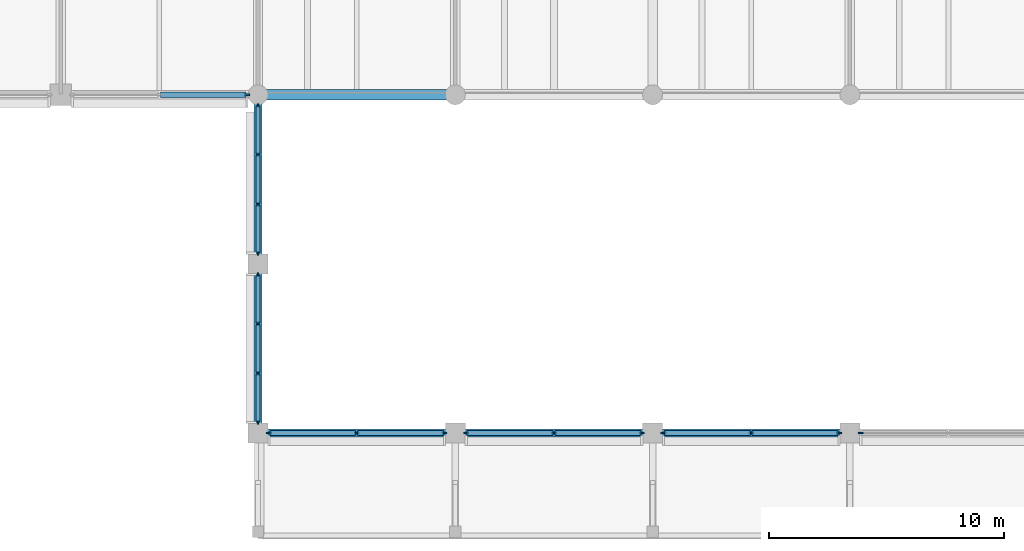
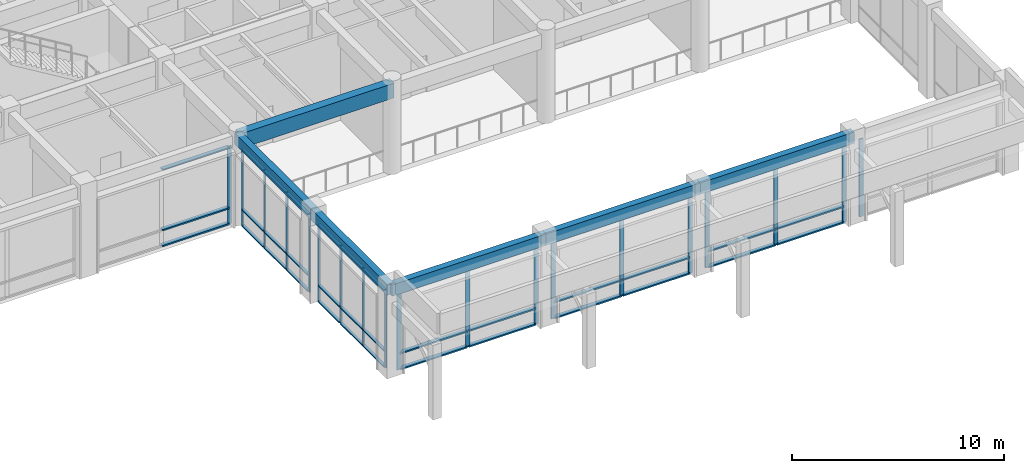
# One storey, part 14 of 68: 58 members, 6 beams, 7 elements without a shape of their own.
"""IFC4 building model written with IfcOpenShell, lengths in metres."""

from ifc_helpers import new_model, si_unit, direction, frame, origin, origin_2d, place, context, subcontext, project, spatial, rectangle, extrude, material, layer, layer_set, material_profile, profile_set, type_object, element, aggregate, save


model = new_model("IFC4")

# Units and contexts
model_context = context("Model", 3, precision=1e-05, world=origin(), true_north=direction((0.0, 1.0)))
body_context = subcontext(model_context, "Body", "Model", "MODEL_VIEW")
ifc_project = project(units=[si_unit("LENGTHUNIT", "METRE"), si_unit("AREAUNIT", "SQUARE_METRE"), si_unit("VOLUMEUNIT", "CUBIC_METRE"), si_unit("PLANEANGLEUNIT", "RADIAN"), si_unit("MASSUNIT", "GRAM", prefix="KILO")], contexts=[model_context])

# Site, building, storey
site_placement = place(None, origin())
site = spatial("IfcSite", under=ifc_project, at=site_placement, CompositionType="ELEMENT")
building_placement = place(site_placement, origin())
building = spatial("IfcBuilding", under=site, at=building_placement, Name="Chengyuan Square Courthouse", CompositionType="ELEMENT")
storey_placement = place(building_placement, frame((0.0, 0.0, 5.39990234375)))
storey = spatial("IfcBuildingStorey", under=building, at=storey_placement, Name="L02", CompositionType="ELEMENT", Elevation=5.39990234375)

# Beams
ifc_material_1 = material(Name="Concrete C40", Category="concrete")
ifc_material_profile_1 = material_profile(ifc_material_1, rectangle(XDim=0.449951171875, YDim=0.85009765625, at=origin_2d()), Name="RC-BM-450x850")
ifc_profile_set_1 = profile_set([ifc_material_profile_1], Name="Concrete C40")
beam_type_1 = type_object("IfcBeamType", Name="BM-01", PredefinedType="USERDEFINED", material=ifc_profile_set_1)
beam_1_placement = place(storey_placement, frame((67.199951171875, 79.199951171875, 4.695068359375), z_axis=(1.0, 0.0, 0.0), x_axis=(0.0, 1.0, 0.0)))
element("IfcBeam", 1, at=beam_1_placement, inside=storey, type_object=beam_type_1, Name="Girder BM-L02-2127", ObjectType="GIRDER", PredefinedType="USERDEFINED", context=body_context, shape_type="SweptSolid", body=[
    extrude(rectangle(XDim=0.449951171875, YDim=0.85009765625, at=origin_2d()), origin(), (0.0, 0.0, 1.0), 8.400146484375),
])
ifc_material_profile_2 = material_profile(ifc_material_1, rectangle(XDim=0.35009765625, YDim=0.64990234375, at=origin_2d()), Name="RC-BM-350x650")
ifc_profile_set_2 = profile_set([ifc_material_profile_2], Name="Concrete C40")
beam_type_2 = type_object("IfcBeamType", Name="BM-03", PredefinedType="SPANDREL", material=ifc_profile_set_2)
beam_2_placement = place(storey_placement, frame((67.199951171875, 64.800048828125, 4.795166015625), z_axis=(1.0, 0.0, 0.0), x_axis=(0.0, 1.0, 0.0)))
element("IfcBeam", 2, at=beam_2_placement, inside=storey, type_object=beam_type_2, Name="Girder BM-L02-2109", PredefinedType="SPANDREL", context=body_context, shape_type="SweptSolid", body=[
    extrude(rectangle(XDim=0.35009765625, YDim=0.64990234375, at=origin_2d()), origin(), (0.0, 0.0, 1.0), 8.400146484375),
])
for number, where, z_axis, x_axis, name in (
    (3, (75.60009765625, 64.800048828125, 4.795166015625), (1.0, 0.0, 0.0), (0.0, 1.0, 0.0), "Girder BM-L02-2110"),
    (4, (84.0, 64.800048828125, 4.795166015625), (1.0, 0.0, 0.0), (0.0, 1.0, 0.0), "Girder BM-L02-2111"),
):
    element("IfcBeam", number, at=place(storey_placement, frame(where, z_axis=z_axis, x_axis=x_axis)), inside=storey, type_object=beam_type_2, Name=name, PredefinedType="SPANDREL", context=body_context, shape_type="SweptSolid", body=[
        extrude(rectangle(XDim=0.35009765625, YDim=0.64990234375, at=origin_2d()), origin(), (0.0, 0.0, 1.0), 8.39990234375),
    ])
for number, where, z_axis, x_axis, name in (
    (5, (67.199951171875, 64.800048828125, 4.795166015625), (0.0, 1.0, 0.0), (-1.0, 0.0, 0.0), "Girder BM-L02-2294"),
    (6, (67.199951171875, 72.0, 4.795166015625), (0.0, 1.0, 0.0), (-1.0, 0.0, 0.0), "Girder BM-L02-2295"),
):
    element("IfcBeam", number, at=place(storey_placement, frame(where, z_axis=z_axis, x_axis=x_axis)), inside=storey, type_object=beam_type_2, Name=name, PredefinedType="SPANDREL", context=body_context, shape_type="SweptSolid", body=[
        extrude(rectangle(XDim=0.35009765625, YDim=0.64990234375, at=origin_2d()), origin(), (0.0, 0.0, 1.0), 7.199951171875),
    ])

# Curtain wall, members
ifc_material_2 = material(Name="Unitised Aluminium and Triple Low-E Glass", Category="aluminium")
ifc_layer_1 = layer(ifc_material_2, 0.159912109375)
ifc_layer_set_1 = layer_set([ifc_layer_1], Name="Unitised Aluminium and Triple Low-E Glass")
curtain_wall_type_1 = type_object("IfcCurtainWallType", Name="CW-17", PredefinedType="USERDEFINED", material=ifc_layer_set_1)
curtain_wall_1_placement = place(storey_placement, origin())
curtain_wall_1 = element("IfcCurtainWall", 7, at=curtain_wall_1_placement, inside=storey, type_object=curtain_wall_type_1, Name="Unitised Curtain Wall CW-L02-062", ObjectType="UNITISED CURTAIN WALL", PredefinedType="USERDEFINED")
ifc_material_3 = material(Name="Aluminium 6063-T6 Frame", Category="aluminium")
ifc_material_profile_3 = material_profile(ifc_material_3, rectangle(XDim=0.06005859375, YDim=0.159912109375, at=origin_2d()), Name="CW-MUL-60x160")
ifc_profile_set_3 = profile_set([ifc_material_profile_3], Name="Aluminium 6063-T6 Frame")
member_type_1 = type_object("IfcMemberType", Name="CWM-01", PredefinedType="MULLION", material=ifc_profile_set_3)
member_1_placement = place(storey_placement, frame((67.199951171875, 65.2548828125, 0.0), z_axis=(0.0, 0.0, 1.0), x_axis=(-1.0, 0.0, 0.0)))
member_1 = element("IfcMember", 8, at=member_1_placement, type_object=member_type_1, Name="CW-17 mullion 1", PredefinedType="MULLION", context=body_context, shape_type="SweptSolid", body=[
    extrude(rectangle(XDim=0.06005859375, YDim=0.159912109375, at=origin_2d()), origin(), (0.0, 0.0, 1.0), 4.47021484375),
])
member_2_placement = place(storey_placement, frame((67.199951171875, 67.341552734375, 0.0), z_axis=(0.0, 0.0, 1.0), x_axis=(-1.0, 0.0, 0.0)))
member_2 = element("IfcMember", 9, at=member_2_placement, type_object=member_type_1, Name="CW-17 mullion 2", PredefinedType="MULLION", context=body_context, shape_type="SweptSolid", body=[
    extrude(rectangle(XDim=0.06005859375, YDim=0.159912109375, at=origin_2d()), origin(), (0.0, 0.0, 1.0), 4.47021484375),
])
member_3_placement = place(storey_placement, frame((67.199951171875, 69.458251953125, 0.0), z_axis=(0.0, 0.0, 1.0), x_axis=(-1.0, 0.0, 0.0)))
member_3 = element("IfcMember", 10, at=member_3_placement, type_object=member_type_1, Name="CW-17 mullion 3", PredefinedType="MULLION", context=body_context, shape_type="SweptSolid", body=[
    extrude(rectangle(XDim=0.06005859375, YDim=0.159912109375, at=origin_2d()), origin(), (0.0, 0.0, 1.0), 4.47021484375),
])
member_4_placement = place(storey_placement, frame((67.199951171875, 71.544921875, 0.0), z_axis=(0.0, 0.0, 1.0), x_axis=(-1.0, 0.0, 0.0)))
member_4 = element("IfcMember", 11, at=member_4_placement, type_object=member_type_1, Name="CW-17 mullion 4", PredefinedType="MULLION", context=body_context, shape_type="SweptSolid", body=[
    extrude(rectangle(XDim=0.06005859375, YDim=0.159912109375, at=origin_2d()), origin(), (0.0, 0.0, 1.0), 4.47021484375),
])

curtain_wall_2_placement = place(storey_placement, origin())
curtain_wall_2 = element("IfcCurtainWall", 12, at=curtain_wall_2_placement, inside=storey, type_object=curtain_wall_type_1, Name="Unitised Curtain Wall CW-L02-063", ObjectType="UNITISED CURTAIN WALL", PredefinedType="USERDEFINED")
member_5_placement = place(storey_placement, frame((67.199951171875, 72.455078125, 0.0), z_axis=(0.0, 0.0, 1.0), x_axis=(-1.0, 0.0, 0.0)))
member_5 = element("IfcMember", 13, at=member_5_placement, type_object=member_type_1, Name="CW-17 mullion 1", PredefinedType="MULLION", context=body_context, shape_type="SweptSolid", body=[
    extrude(rectangle(XDim=0.06005859375, YDim=0.159912109375, at=origin_2d()), origin(), (0.0, 0.0, 1.0), 4.47021484375),
])
member_6_placement = place(storey_placement, frame((67.199951171875, 74.541748046875, 0.0), z_axis=(0.0, 0.0, 1.0), x_axis=(-1.0, 0.0, 0.0)))
member_6 = element("IfcMember", 14, at=member_6_placement, type_object=member_type_1, Name="CW-17 mullion 2", PredefinedType="MULLION", context=body_context, shape_type="SweptSolid", body=[
    extrude(rectangle(XDim=0.06005859375, YDim=0.159912109375, at=origin_2d()), origin(), (0.0, 0.0, 1.0), 4.47021484375),
])
member_7_placement = place(storey_placement, frame((67.199951171875, 76.658447265625, 0.0), z_axis=(0.0, 0.0, 1.0), x_axis=(-1.0, 0.0, 0.0)))
member_7 = element("IfcMember", 15, at=member_7_placement, type_object=member_type_1, Name="CW-17 mullion 3", PredefinedType="MULLION", context=body_context, shape_type="SweptSolid", body=[
    extrude(rectangle(XDim=0.06005859375, YDim=0.159912109375, at=origin_2d()), origin(), (0.0, 0.0, 1.0), 4.47021484375),
])
member_8_placement = place(storey_placement, frame((67.199951171875, 78.7451171875, 0.0), z_axis=(0.0, 0.0, 1.0), x_axis=(-1.0, 0.0, 0.0)))
member_8 = element("IfcMember", 16, at=member_8_placement, type_object=member_type_1, Name="CW-17 mullion 4", PredefinedType="MULLION", context=body_context, shape_type="SweptSolid", body=[
    extrude(rectangle(XDim=0.06005859375, YDim=0.159912109375, at=origin_2d()), origin(), (0.0, 0.0, 1.0), 4.47021484375),
])

# Curtain wall, member
ifc_layer_2 = layer(ifc_material_2, 0.219970703125)
ifc_layer_set_2 = layer_set([ifc_layer_2], Name="Unitised Aluminium and Triple Low-E Glass")
curtain_wall_type_2 = type_object("IfcCurtainWallType", Name="CW-04", PredefinedType="USERDEFINED", material=ifc_layer_set_2)
curtain_wall_3_placement = place(storey_placement, origin())
curtain_wall_3 = element("IfcCurtainWall", 17, at=curtain_wall_3_placement, inside=storey, type_object=curtain_wall_type_2, Name="Unitised Curtain Wall CW-L02-060", ObjectType="UNITISED CURTAIN WALL", PredefinedType="USERDEFINED")
ifc_material_profile_4 = material_profile(ifc_material_3, rectangle(XDim=0.080078125, YDim=0.219970703125, at=origin_2d()), Name="CW-MUL-80x220")
ifc_profile_set_4 = profile_set([ifc_material_profile_4], Name="Aluminium 6063-T6 Frame")
member_type_2 = type_object("IfcMemberType", Name="CWM-04", PredefinedType="MULLION", material=ifc_profile_set_4)
member_9_placement = place(storey_placement, frame((66.735107421875, 79.199951171875, 0.0), z_axis=(0.0, 0.0, 1.0), x_axis=(0.0, 1.0, 0.0)))
member_9 = element("IfcMember", 18, at=member_9_placement, type_object=member_type_2, Name="CW-04 mullion 3", PredefinedType="MULLION", context=body_context, shape_type="SweptSolid", body=[
    extrude(rectangle(XDim=0.080078125, YDim=0.219970703125, at=origin_2d()), origin(), (0.0, 0.0, 1.0), 4.47021484375),
])

# Curtain wall, members
curtain_wall_4_placement = place(storey_placement, origin())
curtain_wall_4 = element("IfcCurtainWall", 19, at=curtain_wall_4_placement, inside=storey, type_object=curtain_wall_type_2, Name="Unitised Curtain Wall CW-L02-061", ObjectType="UNITISED CURTAIN WALL", PredefinedType="USERDEFINED")
member_10_placement = place(storey_placement, frame((67.6650390625, 64.800048828125, 0.0), z_axis=(0.0, 0.0, 1.0), x_axis=(0.0, 1.0, 0.0)))
member_10 = element("IfcMember", 20, at=member_10_placement, type_object=member_type_2, Name="CW-04 mullion 1", PredefinedType="MULLION", context=body_context, shape_type="SweptSolid", body=[
    extrude(rectangle(XDim=0.080078125, YDim=0.219970703125, at=origin_2d()), origin(), (0.0, 0.0, 1.0), 4.47021484375),
])
member_11_placement = place(storey_placement, frame((71.39990234375, 64.800048828125, 0.0), z_axis=(0.0, 0.0, 1.0), x_axis=(0.0, 1.0, 0.0)))
member_11 = element("IfcMember", 21, at=member_11_placement, type_object=member_type_2, Name="CW-04 mullion 2", PredefinedType="MULLION", context=body_context, shape_type="SweptSolid", body=[
    extrude(rectangle(XDim=0.080078125, YDim=0.219970703125, at=origin_2d()), origin(), (0.0, 0.0, 1.0), 4.47021484375),
])
member_12_placement = place(storey_placement, frame((75.135009765625, 64.800048828125, 0.0), z_axis=(0.0, 0.0, 1.0), x_axis=(0.0, 1.0, 0.0)))
member_12 = element("IfcMember", 22, at=member_12_placement, type_object=member_type_2, Name="CW-04 mullion 3", PredefinedType="MULLION", context=body_context, shape_type="SweptSolid", body=[
    extrude(rectangle(XDim=0.080078125, YDim=0.219970703125, at=origin_2d()), origin(), (0.0, 0.0, 1.0), 4.47021484375),
])

curtain_wall_5_placement = place(storey_placement, origin())
curtain_wall_5 = element("IfcCurtainWall", 23, at=curtain_wall_5_placement, inside=storey, type_object=curtain_wall_type_2, Name="Unitised Curtain Wall CW-L02-064", ObjectType="UNITISED CURTAIN WALL", PredefinedType="USERDEFINED")
member_13_placement = place(storey_placement, frame((76.06494140625, 64.800048828125, 0.0), z_axis=(0.0, 0.0, 1.0), x_axis=(0.0, 1.0, 0.0)))
member_13 = element("IfcMember", 24, at=member_13_placement, type_object=member_type_2, Name="CW-04 mullion 1", PredefinedType="MULLION", context=body_context, shape_type="SweptSolid", body=[
    extrude(rectangle(XDim=0.080078125, YDim=0.219970703125, at=origin_2d()), origin(), (0.0, 0.0, 1.0), 4.47021484375),
])
member_14_placement = place(storey_placement, frame((79.800048828125, 64.800048828125, 0.0), z_axis=(0.0, 0.0, 1.0), x_axis=(0.0, 1.0, 0.0)))
member_14 = element("IfcMember", 25, at=member_14_placement, type_object=member_type_2, Name="CW-04 mullion 2", PredefinedType="MULLION", context=body_context, shape_type="SweptSolid", body=[
    extrude(rectangle(XDim=0.080078125, YDim=0.219970703125, at=origin_2d()), origin(), (0.0, 0.0, 1.0), 4.47021484375),
])
member_15_placement = place(storey_placement, frame((83.534912109375, 64.800048828125, 0.0), z_axis=(0.0, 0.0, 1.0), x_axis=(0.0, 1.0, 0.0)))
member_15 = element("IfcMember", 26, at=member_15_placement, type_object=member_type_2, Name="CW-04 mullion 3", PredefinedType="MULLION", context=body_context, shape_type="SweptSolid", body=[
    extrude(rectangle(XDim=0.080078125, YDim=0.219970703125, at=origin_2d()), origin(), (0.0, 0.0, 1.0), 4.47021484375),
])

curtain_wall_6_placement = place(storey_placement, origin())
curtain_wall_6 = element("IfcCurtainWall", 27, at=curtain_wall_6_placement, inside=storey, type_object=curtain_wall_type_2, Name="Unitised Curtain Wall CW-L02-065", ObjectType="UNITISED CURTAIN WALL", PredefinedType="USERDEFINED")
member_16_placement = place(storey_placement, frame((84.465087890625, 64.800048828125, 0.0), z_axis=(0.0, 0.0, 1.0), x_axis=(0.0, 1.0, 0.0)))
member_16 = element("IfcMember", 28, at=member_16_placement, type_object=member_type_2, Name="CW-04 mullion 1", PredefinedType="MULLION", context=body_context, shape_type="SweptSolid", body=[
    extrude(rectangle(XDim=0.080078125, YDim=0.219970703125, at=origin_2d()), origin(), (0.0, 0.0, 1.0), 4.47021484375),
])
member_17_placement = place(storey_placement, frame((88.199951171875, 64.800048828125, 0.0), z_axis=(0.0, 0.0, 1.0), x_axis=(0.0, 1.0, 0.0)))
member_17 = element("IfcMember", 29, at=member_17_placement, type_object=member_type_2, Name="CW-04 mullion 2", PredefinedType="MULLION", context=body_context, shape_type="SweptSolid", body=[
    extrude(rectangle(XDim=0.080078125, YDim=0.219970703125, at=origin_2d()), origin(), (0.0, 0.0, 1.0), 4.47021484375),
])
member_18_placement = place(storey_placement, frame((91.93505859375, 64.800048828125, 0.0), z_axis=(0.0, 0.0, 1.0), x_axis=(0.0, 1.0, 0.0)))
member_18 = element("IfcMember", 30, at=member_18_placement, type_object=member_type_2, Name="CW-04 mullion 3", PredefinedType="MULLION", context=body_context, shape_type="SweptSolid", body=[
    extrude(rectangle(XDim=0.080078125, YDim=0.219970703125, at=origin_2d()), origin(), (0.0, 0.0, 1.0), 4.47021484375),
])

# Curtain wall, member
curtain_wall_7_placement = place(storey_placement, origin())
curtain_wall_7 = element("IfcCurtainWall", 31, at=curtain_wall_7_placement, inside=storey, type_object=curtain_wall_type_2, Name="Unitised Curtain Wall CW-L02-066", ObjectType="UNITISED CURTAIN WALL", PredefinedType="USERDEFINED")
member_19_placement = place(storey_placement, frame((92.864990234375, 64.800048828125, 0.0), z_axis=(0.0, 0.0, 1.0), x_axis=(0.0, 1.0, 0.0)))
member_19 = element("IfcMember", 32, at=member_19_placement, type_object=member_type_2, Name="CW-04 mullion 1", PredefinedType="MULLION", context=body_context, shape_type="SweptSolid", body=[
    extrude(rectangle(XDim=0.080078125, YDim=0.219970703125, at=origin_2d()), origin(), (0.0, 0.0, 1.0), 4.47021484375),
])
aggregate(curtain_wall_7, [member_19])

# Member
ifc_material_profile_5 = material_profile(ifc_material_3, rectangle(XDim=0.159912109375, YDim=0.06005859375, at=origin_2d()), Name="CW-TRN-60x120")
ifc_profile_set_5 = profile_set([ifc_material_profile_5], Name="Aluminium 6063-T6 Frame")
member_type_3 = type_object("IfcMemberType", Name="CWT-01", PredefinedType="USERDEFINED", material=ifc_profile_set_5)
member_20_placement = place(storey_placement, frame((67.199951171875, 65.284912109375, 0.030029296875), z_axis=(0.0, 1.0, 0.0), x_axis=(-1.0, 0.0, 0.0)))
member_20 = element("IfcMember", 33, at=member_20_placement, type_object=member_type_3, Name="CW-17 transom 1.1", ObjectType="TRANSOM", PredefinedType="USERDEFINED", context=body_context, shape_type="SweptSolid", body=[
    extrude(rectangle(XDim=0.159912109375, YDim=0.06005859375, at=origin_2d()), origin(), (0.0, 0.0, 1.0), 2.02685546875),
])

member_21_placement = place(storey_placement, frame((67.199951171875, 65.284912109375, 0.9501953125), z_axis=(0.0, 1.0, 0.0), x_axis=(-1.0, 0.0, 0.0)))
member_21 = element("IfcMember", 34, at=member_21_placement, type_object=member_type_3, Name="CW-17 transom 1.2", ObjectType="TRANSOM", PredefinedType="USERDEFINED", context=body_context, shape_type="SweptSolid", body=[
    extrude(rectangle(XDim=0.159912109375, YDim=0.06005859375, at=origin_2d()), origin(), (0.0, 0.0, 1.0), 2.02685546875),
])

member_22_placement = place(storey_placement, frame((67.199951171875, 65.284912109375, 4.440185546875), z_axis=(0.0, 1.0, 0.0), x_axis=(-1.0, 0.0, 0.0)))
member_22 = element("IfcMember", 35, at=member_22_placement, type_object=member_type_3, Name="CW-17 transom 1.3", ObjectType="TRANSOM", PredefinedType="USERDEFINED", context=body_context, shape_type="SweptSolid", body=[
    extrude(rectangle(XDim=0.159912109375, YDim=0.06005859375, at=origin_2d()), origin(), (0.0, 0.0, 1.0), 2.02685546875),
])

member_23_placement = place(storey_placement, frame((67.199951171875, 67.37158203125, 0.030029296875), z_axis=(0.0, 1.0, 0.0), x_axis=(-1.0, 0.0, 0.0)))
member_23 = element("IfcMember", 36, at=member_23_placement, type_object=member_type_3, Name="CW-17 transom 2.1", ObjectType="TRANSOM", PredefinedType="USERDEFINED", context=body_context, shape_type="SweptSolid", body=[
    extrude(rectangle(XDim=0.159912109375, YDim=0.06005859375, at=origin_2d()), origin(), (0.0, 0.0, 1.0), 2.056640625),
])

member_24_placement = place(storey_placement, frame((67.199951171875, 67.37158203125, 0.9501953125), z_axis=(0.0, 1.0, 0.0), x_axis=(-1.0, 0.0, 0.0)))
member_24 = element("IfcMember", 37, at=member_24_placement, type_object=member_type_3, Name="CW-17 transom 2.2", ObjectType="TRANSOM", PredefinedType="USERDEFINED", context=body_context, shape_type="SweptSolid", body=[
    extrude(rectangle(XDim=0.159912109375, YDim=0.06005859375, at=origin_2d()), origin(), (0.0, 0.0, 1.0), 2.056640625),
])

member_25_placement = place(storey_placement, frame((67.199951171875, 67.37158203125, 4.440185546875), z_axis=(0.0, 1.0, 0.0), x_axis=(-1.0, 0.0, 0.0)))
member_25 = element("IfcMember", 38, at=member_25_placement, type_object=member_type_3, Name="CW-17 transom 2.3", ObjectType="TRANSOM", PredefinedType="USERDEFINED", context=body_context, shape_type="SweptSolid", body=[
    extrude(rectangle(XDim=0.159912109375, YDim=0.06005859375, at=origin_2d()), origin(), (0.0, 0.0, 1.0), 2.056640625),
])

member_26_placement = place(storey_placement, frame((67.199951171875, 69.48828125, 0.030029296875), z_axis=(0.0, 1.0, 0.0), x_axis=(-1.0, 0.0, 0.0)))
member_26 = element("IfcMember", 39, at=member_26_placement, type_object=member_type_3, Name="CW-17 transom 3.1", ObjectType="TRANSOM", PredefinedType="USERDEFINED", context=body_context, shape_type="SweptSolid", body=[
    extrude(rectangle(XDim=0.159912109375, YDim=0.06005859375, at=origin_2d()), origin(), (0.0, 0.0, 1.0), 2.026611328125),
])

member_27_placement = place(storey_placement, frame((67.199951171875, 69.48828125, 0.9501953125), z_axis=(0.0, 1.0, 0.0), x_axis=(-1.0, 0.0, 0.0)))
member_27 = element("IfcMember", 40, at=member_27_placement, type_object=member_type_3, Name="CW-17 transom 3.2", ObjectType="TRANSOM", PredefinedType="USERDEFINED", context=body_context, shape_type="SweptSolid", body=[
    extrude(rectangle(XDim=0.159912109375, YDim=0.06005859375, at=origin_2d()), origin(), (0.0, 0.0, 1.0), 2.026611328125),
])

member_28_placement = place(storey_placement, frame((67.199951171875, 69.48828125, 4.440185546875), z_axis=(0.0, 1.0, 0.0), x_axis=(-1.0, 0.0, 0.0)))
member_28 = element("IfcMember", 41, at=member_28_placement, type_object=member_type_3, Name="CW-17 transom 3.3", ObjectType="TRANSOM", PredefinedType="USERDEFINED", context=body_context, shape_type="SweptSolid", body=[
    extrude(rectangle(XDim=0.159912109375, YDim=0.06005859375, at=origin_2d()), origin(), (0.0, 0.0, 1.0), 2.026611328125),
])

aggregate(curtain_wall_1, [member_1, member_2, member_3, member_4, member_20, member_21, member_22, member_23, member_24, member_25, member_26, member_27, member_28])

member_29_placement = place(storey_placement, frame((67.199951171875, 72.485107421875, 0.030029296875), z_axis=(0.0, 1.0, 0.0), x_axis=(-1.0, 0.0, 0.0)))
member_29 = element("IfcMember", 42, at=member_29_placement, type_object=member_type_3, Name="CW-17 transom 1.1", ObjectType="TRANSOM", PredefinedType="USERDEFINED", context=body_context, shape_type="SweptSolid", body=[
    extrude(rectangle(XDim=0.159912109375, YDim=0.06005859375, at=origin_2d()), origin(), (0.0, 0.0, 1.0), 2.026611328125),
])

member_30_placement = place(storey_placement, frame((67.199951171875, 72.485107421875, 0.9501953125), z_axis=(0.0, 1.0, 0.0), x_axis=(-1.0, 0.0, 0.0)))
member_30 = element("IfcMember", 43, at=member_30_placement, type_object=member_type_3, Name="CW-17 transom 1.2", ObjectType="TRANSOM", PredefinedType="USERDEFINED", context=body_context, shape_type="SweptSolid", body=[
    extrude(rectangle(XDim=0.159912109375, YDim=0.06005859375, at=origin_2d()), origin(), (0.0, 0.0, 1.0), 2.026611328125),
])

member_31_placement = place(storey_placement, frame((67.199951171875, 72.485107421875, 4.440185546875), z_axis=(0.0, 1.0, 0.0), x_axis=(-1.0, 0.0, 0.0)))
member_31 = element("IfcMember", 44, at=member_31_placement, type_object=member_type_3, Name="CW-17 transom 1.3", ObjectType="TRANSOM", PredefinedType="USERDEFINED", context=body_context, shape_type="SweptSolid", body=[
    extrude(rectangle(XDim=0.159912109375, YDim=0.06005859375, at=origin_2d()), origin(), (0.0, 0.0, 1.0), 2.026611328125),
])

member_32_placement = place(storey_placement, frame((67.199951171875, 74.57177734375, 0.030029296875), z_axis=(0.0, 1.0, 0.0), x_axis=(-1.0, 0.0, 0.0)))
member_32 = element("IfcMember", 45, at=member_32_placement, type_object=member_type_3, Name="CW-17 transom 2.1", ObjectType="TRANSOM", PredefinedType="USERDEFINED", context=body_context, shape_type="SweptSolid", body=[
    extrude(rectangle(XDim=0.159912109375, YDim=0.06005859375, at=origin_2d()), origin(), (0.0, 0.0, 1.0), 2.056640625),
])

member_33_placement = place(storey_placement, frame((67.199951171875, 74.57177734375, 0.9501953125), z_axis=(0.0, 1.0, 0.0), x_axis=(-1.0, 0.0, 0.0)))
member_33 = element("IfcMember", 46, at=member_33_placement, type_object=member_type_3, Name="CW-17 transom 2.2", ObjectType="TRANSOM", PredefinedType="USERDEFINED", context=body_context, shape_type="SweptSolid", body=[
    extrude(rectangle(XDim=0.159912109375, YDim=0.06005859375, at=origin_2d()), origin(), (0.0, 0.0, 1.0), 2.056640625),
])

member_34_placement = place(storey_placement, frame((67.199951171875, 74.57177734375, 4.440185546875), z_axis=(0.0, 1.0, 0.0), x_axis=(-1.0, 0.0, 0.0)))
member_34 = element("IfcMember", 47, at=member_34_placement, type_object=member_type_3, Name="CW-17 transom 2.3", ObjectType="TRANSOM", PredefinedType="USERDEFINED", context=body_context, shape_type="SweptSolid", body=[
    extrude(rectangle(XDim=0.159912109375, YDim=0.06005859375, at=origin_2d()), origin(), (0.0, 0.0, 1.0), 2.056640625),
])

member_35_placement = place(storey_placement, frame((67.199951171875, 76.688232421875, 0.030029296875), z_axis=(0.0, 1.0, 0.0), x_axis=(-1.0, 0.0, 0.0)))
member_35 = element("IfcMember", 48, at=member_35_placement, type_object=member_type_3, Name="CW-17 transom 3.1", ObjectType="TRANSOM", PredefinedType="USERDEFINED", context=body_context, shape_type="SweptSolid", body=[
    extrude(rectangle(XDim=0.159912109375, YDim=0.06005859375, at=origin_2d()), origin(), (0.0, 0.0, 1.0), 2.02685546875),
])

member_36_placement = place(storey_placement, frame((67.199951171875, 76.688232421875, 0.9501953125), z_axis=(0.0, 1.0, 0.0), x_axis=(-1.0, 0.0, 0.0)))
member_36 = element("IfcMember", 49, at=member_36_placement, type_object=member_type_3, Name="CW-17 transom 3.2", ObjectType="TRANSOM", PredefinedType="USERDEFINED", context=body_context, shape_type="SweptSolid", body=[
    extrude(rectangle(XDim=0.159912109375, YDim=0.06005859375, at=origin_2d()), origin(), (0.0, 0.0, 1.0), 2.02685546875),
])

member_37_placement = place(storey_placement, frame((67.199951171875, 76.688232421875, 4.440185546875), z_axis=(0.0, 1.0, 0.0), x_axis=(-1.0, 0.0, 0.0)))
member_37 = element("IfcMember", 50, at=member_37_placement, type_object=member_type_3, Name="CW-17 transom 3.3", ObjectType="TRANSOM", PredefinedType="USERDEFINED", context=body_context, shape_type="SweptSolid", body=[
    extrude(rectangle(XDim=0.159912109375, YDim=0.06005859375, at=origin_2d()), origin(), (0.0, 0.0, 1.0), 2.02685546875),
])

aggregate(curtain_wall_2, [member_5, member_6, member_7, member_8, member_29, member_30, member_31, member_32, member_33, member_34, member_35, member_36, member_37])

ifc_material_profile_6 = material_profile(ifc_material_3, rectangle(XDim=0.219970703125, YDim=0.080078125, at=origin_2d()), Name="CW-TRN-80x180")
ifc_profile_set_6 = profile_set([ifc_material_profile_6], Name="Aluminium 6063-T6 Frame")
member_type_4 = type_object("IfcMemberType", Name="CWT-04", PredefinedType="USERDEFINED", material=ifc_profile_set_6)
member_38_placement = place(storey_placement, frame((63.052490234375, 79.199951171875, 0.0400390625), z_axis=(1.0, 0.0, 0.0), x_axis=(0.0, 1.0, 0.0)))
member_38 = element("IfcMember", 51, at=member_38_placement, type_object=member_type_4, Name="CW-04 transom 2.1", ObjectType="TRANSOM", PredefinedType="USERDEFINED", context=body_context, shape_type="SweptSolid", body=[
    extrude(rectangle(XDim=0.219970703125, YDim=0.080078125, at=origin_2d()), origin(), (0.0, 0.0, 1.0), 3.642578125),
])

member_39_placement = place(storey_placement, frame((63.052490234375, 79.199951171875, 0.9501953125), z_axis=(1.0, 0.0, 0.0), x_axis=(0.0, 1.0, 0.0)))
member_39 = element("IfcMember", 52, at=member_39_placement, type_object=member_type_4, Name="CW-04 transom 2.2", ObjectType="TRANSOM", PredefinedType="USERDEFINED", context=body_context, shape_type="SweptSolid", body=[
    extrude(rectangle(XDim=0.219970703125, YDim=0.080078125, at=origin_2d()), origin(), (0.0, 0.0, 1.0), 3.642578125),
])

member_40_placement = place(storey_placement, frame((63.052490234375, 79.199951171875, 4.43017578125), z_axis=(1.0, 0.0, 0.0), x_axis=(0.0, 1.0, 0.0)))
member_40 = element("IfcMember", 53, at=member_40_placement, type_object=member_type_4, Name="CW-04 transom 2.3", ObjectType="TRANSOM", PredefinedType="USERDEFINED", context=body_context, shape_type="SweptSolid", body=[
    extrude(rectangle(XDim=0.219970703125, YDim=0.080078125, at=origin_2d()), origin(), (0.0, 0.0, 1.0), 3.642578125),
])

aggregate(curtain_wall_3, [member_9, member_38, member_39, member_40])

member_41_placement = place(storey_placement, frame((67.705078125, 64.800048828125, 0.0400390625), z_axis=(1.0, 0.0, 0.0), x_axis=(0.0, 1.0, 0.0)))
member_41 = element("IfcMember", 54, at=member_41_placement, type_object=member_type_4, Name="CW-04 transom 1.1", ObjectType="TRANSOM", PredefinedType="USERDEFINED", context=body_context, shape_type="SweptSolid", body=[
    extrude(rectangle(XDim=0.219970703125, YDim=0.080078125, at=origin_2d()), origin(), (0.0, 0.0, 1.0), 3.655029296875),
])

member_42_placement = place(storey_placement, frame((67.705078125, 64.800048828125, 0.9501953125), z_axis=(1.0, 0.0, 0.0), x_axis=(0.0, 1.0, 0.0)))
member_42 = element("IfcMember", 55, at=member_42_placement, type_object=member_type_4, Name="CW-04 transom 1.2", ObjectType="TRANSOM", PredefinedType="USERDEFINED", context=body_context, shape_type="SweptSolid", body=[
    extrude(rectangle(XDim=0.219970703125, YDim=0.080078125, at=origin_2d()), origin(), (0.0, 0.0, 1.0), 3.655029296875),
])

member_43_placement = place(storey_placement, frame((67.705078125, 64.800048828125, 4.43017578125), z_axis=(1.0, 0.0, 0.0), x_axis=(0.0, 1.0, 0.0)))
member_43 = element("IfcMember", 56, at=member_43_placement, type_object=member_type_4, Name="CW-04 transom 1.3", ObjectType="TRANSOM", PredefinedType="USERDEFINED", context=body_context, shape_type="SweptSolid", body=[
    extrude(rectangle(XDim=0.219970703125, YDim=0.080078125, at=origin_2d()), origin(), (0.0, 0.0, 1.0), 3.655029296875),
])

member_44_placement = place(storey_placement, frame((71.43994140625, 64.800048828125, 0.0400390625), z_axis=(1.0, 0.0, 0.0), x_axis=(0.0, 1.0, 0.0)))
member_44 = element("IfcMember", 57, at=member_44_placement, type_object=member_type_4, Name="CW-04 transom 2.1", ObjectType="TRANSOM", PredefinedType="USERDEFINED", context=body_context, shape_type="SweptSolid", body=[
    extrude(rectangle(XDim=0.219970703125, YDim=0.080078125, at=origin_2d()), origin(), (0.0, 0.0, 1.0), 3.655029296875),
])

member_45_placement = place(storey_placement, frame((71.43994140625, 64.800048828125, 0.9501953125), z_axis=(1.0, 0.0, 0.0), x_axis=(0.0, 1.0, 0.0)))
member_45 = element("IfcMember", 58, at=member_45_placement, type_object=member_type_4, Name="CW-04 transom 2.2", ObjectType="TRANSOM", PredefinedType="USERDEFINED", context=body_context, shape_type="SweptSolid", body=[
    extrude(rectangle(XDim=0.219970703125, YDim=0.080078125, at=origin_2d()), origin(), (0.0, 0.0, 1.0), 3.655029296875),
])

member_46_placement = place(storey_placement, frame((71.43994140625, 64.800048828125, 4.43017578125), z_axis=(1.0, 0.0, 0.0), x_axis=(0.0, 1.0, 0.0)))
member_46 = element("IfcMember", 59, at=member_46_placement, type_object=member_type_4, Name="CW-04 transom 2.3", ObjectType="TRANSOM", PredefinedType="USERDEFINED", context=body_context, shape_type="SweptSolid", body=[
    extrude(rectangle(XDim=0.219970703125, YDim=0.080078125, at=origin_2d()), origin(), (0.0, 0.0, 1.0), 3.655029296875),
])

aggregate(curtain_wall_4, [member_10, member_11, member_12, member_41, member_42, member_43, member_44, member_45, member_46])

member_47_placement = place(storey_placement, frame((76.10498046875, 64.800048828125, 0.0400390625), z_axis=(1.0, 0.0, 0.0), x_axis=(0.0, 1.0, 0.0)))
member_47 = element("IfcMember", 60, at=member_47_placement, type_object=member_type_4, Name="CW-04 transom 1.1", ObjectType="TRANSOM", PredefinedType="USERDEFINED", context=body_context, shape_type="SweptSolid", body=[
    extrude(rectangle(XDim=0.219970703125, YDim=0.080078125, at=origin_2d()), origin(), (0.0, 0.0, 1.0), 3.655029296875),
])

member_48_placement = place(storey_placement, frame((76.10498046875, 64.800048828125, 0.9501953125), z_axis=(1.0, 0.0, 0.0), x_axis=(0.0, 1.0, 0.0)))
member_48 = element("IfcMember", 61, at=member_48_placement, type_object=member_type_4, Name="CW-04 transom 1.2", ObjectType="TRANSOM", PredefinedType="USERDEFINED", context=body_context, shape_type="SweptSolid", body=[
    extrude(rectangle(XDim=0.219970703125, YDim=0.080078125, at=origin_2d()), origin(), (0.0, 0.0, 1.0), 3.655029296875),
])

member_49_placement = place(storey_placement, frame((76.10498046875, 64.800048828125, 4.43017578125), z_axis=(1.0, 0.0, 0.0), x_axis=(0.0, 1.0, 0.0)))
member_49 = element("IfcMember", 62, at=member_49_placement, type_object=member_type_4, Name="CW-04 transom 1.3", ObjectType="TRANSOM", PredefinedType="USERDEFINED", context=body_context, shape_type="SweptSolid", body=[
    extrude(rectangle(XDim=0.219970703125, YDim=0.080078125, at=origin_2d()), origin(), (0.0, 0.0, 1.0), 3.655029296875),
])

member_50_placement = place(storey_placement, frame((79.840087890625, 64.800048828125, 0.0400390625), z_axis=(1.0, 0.0, 0.0), x_axis=(0.0, 1.0, 0.0)))
member_50 = element("IfcMember", 63, at=member_50_placement, type_object=member_type_4, Name="CW-04 transom 2.1", ObjectType="TRANSOM", PredefinedType="USERDEFINED", context=body_context, shape_type="SweptSolid", body=[
    extrude(rectangle(XDim=0.219970703125, YDim=0.080078125, at=origin_2d()), origin(), (0.0, 0.0, 1.0), 3.655029296875),
])

member_51_placement = place(storey_placement, frame((79.840087890625, 64.800048828125, 0.9501953125), z_axis=(1.0, 0.0, 0.0), x_axis=(0.0, 1.0, 0.0)))
member_51 = element("IfcMember", 64, at=member_51_placement, type_object=member_type_4, Name="CW-04 transom 2.2", ObjectType="TRANSOM", PredefinedType="USERDEFINED", context=body_context, shape_type="SweptSolid", body=[
    extrude(rectangle(XDim=0.219970703125, YDim=0.080078125, at=origin_2d()), origin(), (0.0, 0.0, 1.0), 3.655029296875),
])

member_52_placement = place(storey_placement, frame((79.840087890625, 64.800048828125, 4.43017578125), z_axis=(1.0, 0.0, 0.0), x_axis=(0.0, 1.0, 0.0)))
member_52 = element("IfcMember", 65, at=member_52_placement, type_object=member_type_4, Name="CW-04 transom 2.3", ObjectType="TRANSOM", PredefinedType="USERDEFINED", context=body_context, shape_type="SweptSolid", body=[
    extrude(rectangle(XDim=0.219970703125, YDim=0.080078125, at=origin_2d()), origin(), (0.0, 0.0, 1.0), 3.655029296875),
])

aggregate(curtain_wall_5, [member_13, member_14, member_15, member_47, member_48, member_49, member_50, member_51, member_52])

member_53_placement = place(storey_placement, frame((84.5048828125, 64.800048828125, 0.0400390625), z_axis=(1.0, 0.0, 0.0), x_axis=(0.0, 1.0, 0.0)))
member_53 = element("IfcMember", 66, at=member_53_placement, type_object=member_type_4, Name="CW-04 transom 1.1", ObjectType="TRANSOM", PredefinedType="USERDEFINED", context=body_context, shape_type="SweptSolid", body=[
    extrude(rectangle(XDim=0.219970703125, YDim=0.080078125, at=origin_2d()), origin(), (0.0, 0.0, 1.0), 3.655029296875),
])

member_54_placement = place(storey_placement, frame((84.5048828125, 64.800048828125, 0.9501953125), z_axis=(1.0, 0.0, 0.0), x_axis=(0.0, 1.0, 0.0)))
member_54 = element("IfcMember", 67, at=member_54_placement, type_object=member_type_4, Name="CW-04 transom 1.2", ObjectType="TRANSOM", PredefinedType="USERDEFINED", context=body_context, shape_type="SweptSolid", body=[
    extrude(rectangle(XDim=0.219970703125, YDim=0.080078125, at=origin_2d()), origin(), (0.0, 0.0, 1.0), 3.655029296875),
])

member_55_placement = place(storey_placement, frame((84.5048828125, 64.800048828125, 4.43017578125), z_axis=(1.0, 0.0, 0.0), x_axis=(0.0, 1.0, 0.0)))
member_55 = element("IfcMember", 68, at=member_55_placement, type_object=member_type_4, Name="CW-04 transom 1.3", ObjectType="TRANSOM", PredefinedType="USERDEFINED", context=body_context, shape_type="SweptSolid", body=[
    extrude(rectangle(XDim=0.219970703125, YDim=0.080078125, at=origin_2d()), origin(), (0.0, 0.0, 1.0), 3.655029296875),
])

member_56_placement = place(storey_placement, frame((88.239990234375, 64.800048828125, 0.0400390625), z_axis=(1.0, 0.0, 0.0), x_axis=(0.0, 1.0, 0.0)))
member_56 = element("IfcMember", 69, at=member_56_placement, type_object=member_type_4, Name="CW-04 transom 2.1", ObjectType="TRANSOM", PredefinedType="USERDEFINED", context=body_context, shape_type="SweptSolid", body=[
    extrude(rectangle(XDim=0.219970703125, YDim=0.080078125, at=origin_2d()), origin(), (0.0, 0.0, 1.0), 3.655029296875),
])

member_57_placement = place(storey_placement, frame((88.239990234375, 64.800048828125, 0.9501953125), z_axis=(1.0, 0.0, 0.0), x_axis=(0.0, 1.0, 0.0)))
member_57 = element("IfcMember", 70, at=member_57_placement, type_object=member_type_4, Name="CW-04 transom 2.2", ObjectType="TRANSOM", PredefinedType="USERDEFINED", context=body_context, shape_type="SweptSolid", body=[
    extrude(rectangle(XDim=0.219970703125, YDim=0.080078125, at=origin_2d()), origin(), (0.0, 0.0, 1.0), 3.655029296875),
])

member_58_placement = place(storey_placement, frame((88.239990234375, 64.800048828125, 4.43017578125), z_axis=(1.0, 0.0, 0.0), x_axis=(0.0, 1.0, 0.0)))
member_58 = element("IfcMember", 71, at=member_58_placement, type_object=member_type_4, Name="CW-04 transom 2.3", ObjectType="TRANSOM", PredefinedType="USERDEFINED", context=body_context, shape_type="SweptSolid", body=[
    extrude(rectangle(XDim=0.219970703125, YDim=0.080078125, at=origin_2d()), origin(), (0.0, 0.0, 1.0), 3.655029296875),
])

aggregate(curtain_wall_6, [member_16, member_17, member_18, member_53, member_54, member_55, member_56, member_57, member_58])

save(model, "model.ifc")
